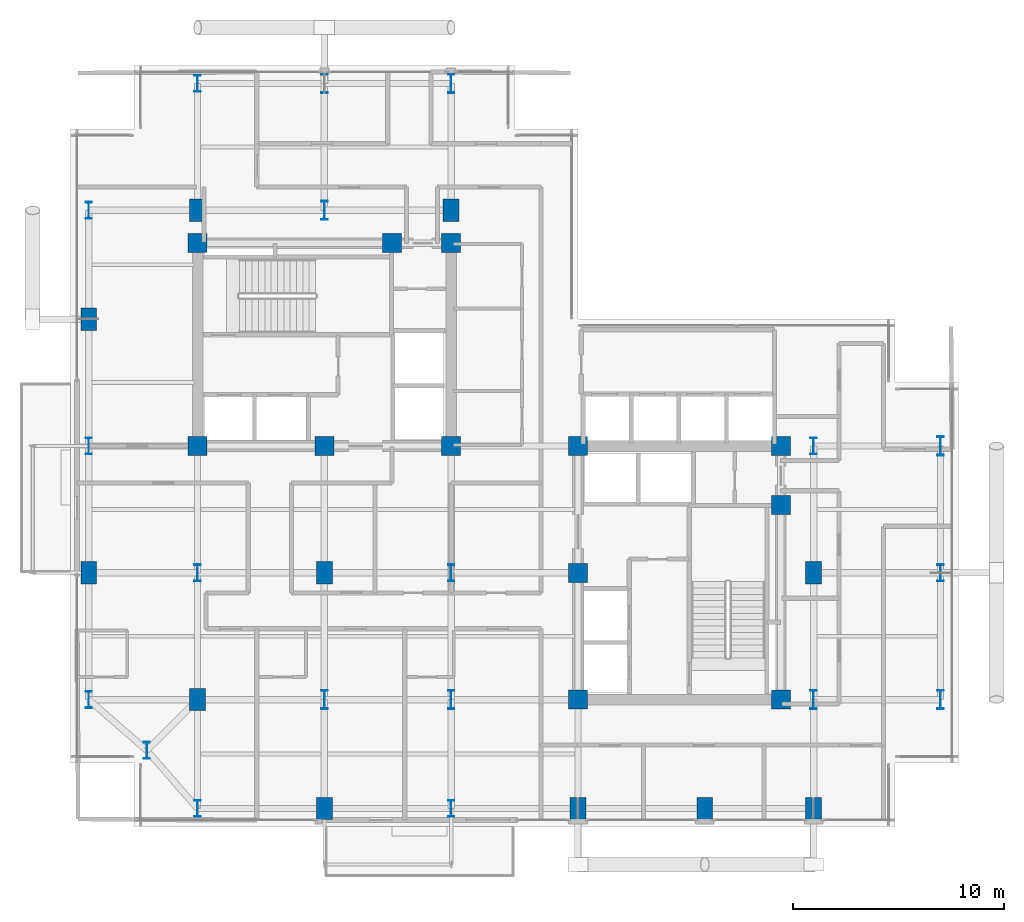
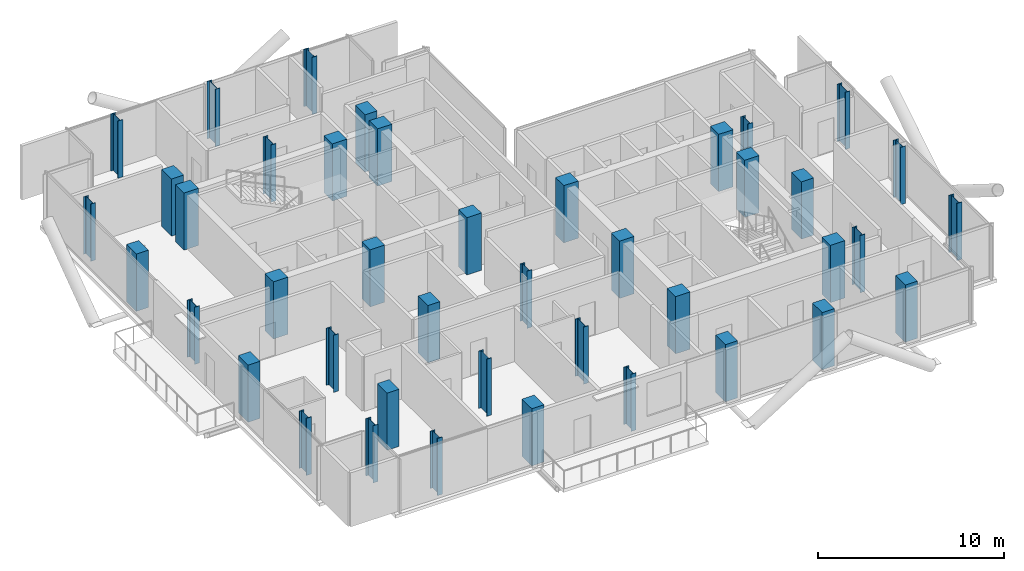
# One storey, part 1 of 22: 42 columns.
"""IFC4 building model written with IfcOpenShell, lengths in metres."""

from ifc_helpers import new_model, si_unit, direction, frame, origin, origin_2d, place, context, subcontext, project, spatial, rectangle, i_section, extrude, material, material_profile, profile_set, type_object, element, save


model = new_model("IFC4")

# Units and contexts
model_context = context("Model", 3, precision=1e-05, world=origin(), true_north=direction((0.0, 1.0)))
body_context = subcontext(model_context, "Body", "Model", "MODEL_VIEW")
ifc_project = project(units=[si_unit("LENGTHUNIT", "METRE"), si_unit("AREAUNIT", "SQUARE_METRE"), si_unit("VOLUMEUNIT", "CUBIC_METRE"), si_unit("PLANEANGLEUNIT", "RADIAN"), si_unit("MASSUNIT", "GRAM", prefix="KILO"), si_unit("THERMODYNAMICTEMPERATUREUNIT", "KELVIN"), si_unit("POWERUNIT", "WATT")], contexts=[model_context])

# Site, building, storey
site_placement = place(None, origin())
site = spatial("IfcSite", under=ifc_project, at=site_placement, CompositionType="ELEMENT")
building_placement = place(site_placement, origin())
building = spatial("IfcBuilding", under=site, at=building_placement, Name="Svarakhadi Broadcast Tower", CompositionType="ELEMENT")
storey_placement = place(building_placement, frame((0.0, 0.0, 176.699951171875)))
storey = spatial("IfcBuildingStorey", under=building, at=storey_placement, Name="L43", CompositionType="ELEMENT", Elevation=176.699951171875)

# Columns
ifc_material_1 = material(Name="Concrete C50/60 (IS 456 M60)", Category="concrete")
ifc_material_profile_1 = material_profile(ifc_material_1, rectangle(XDim=0.75, YDim=1.050048828125, at=origin_2d()), Name="RC 750x1050")
ifc_profile_set_1 = profile_set([ifc_material_profile_1], Name="Concrete C50/60 (IS 456 M60)")
column_type_1 = type_object("IfcColumnType", Name="Col_RC750", PredefinedType="COLUMN", material=ifc_profile_set_1)
for number, where, z_axis, x_axis, name in (
    (1, (0.85009765625, 12.0, 0.0), (0.0, 0.0, 1.0), (1.0, 0.0, 0.0), "L43 Column G04"),
    (2, (0.85009765625, 24.0, 0.0), (0.0, 0.0, 1.0), (1.0, 0.0, 0.0), "L43 Column G06"),
    (3, (6.0, 6.0, 0.0), (0.0, 0.0, 1.0), (1.0, 0.0, 0.0), "L43 Column G12"),
    (4, (6.0, 29.14990234375, 0.0), (0.0, 0.0, 1.0), (1.0, 0.0, 0.0), "L43 Column G14"),
    (5, (12.0, 0.85009765625, 0.0), (0.0, 0.0, 1.0), (1.0, 0.0, 0.0), "L43 Column G18"),
    (6, (12.0, 12.0, 0.0), (0.0, 0.0, 1.0), (1.0, 0.0, 0.0), "L43 Column G20"),
    (7, (18.0, 29.14990234375, 0.0), (0.0, 0.0, 1.0), (1.0, 0.0, 0.0), "L43 Column G28"),
    (8, (24.0, 0.85009765625, 0.0), (0.0, 0.0, 1.0), (1.0, 0.0, 0.0), "L43 Column G32"),
    (9, (30.0, 0.85009765625, 0.0), (0.0, 0.0, 1.0), (1.0, 0.0, 0.0), "L43 Column G36"),
    (10, (35.14990234375, 0.85009765625, 0.0), (0.0, 0.0, 1.0), (1.0, 0.0, 0.0), "L43 Column G38"),
    (11, (35.14990234375, 12.0, 0.0), (0.0, 0.0, 1.0), (1.0, 0.0, 0.0), "L43 Column G40"),
):
    element("IfcColumn", number, at=place(storey_placement, frame(where, z_axis=z_axis, x_axis=x_axis)), inside=storey, type_object=column_type_1, Name=name, PredefinedType="COLUMN", context=body_context, shape_type="SweptSolid", body=[
        extrude(rectangle(XDim=0.75, YDim=1.050048828125, at=origin_2d()), origin(), (0.0, 0.0, 1.0), 3.75),
    ])
ifc_material_profile_2 = material_profile(ifc_material_1, rectangle(XDim=0.89990234375, YDim=0.89990234375, at=origin_2d()), Name="RC 900x900")
ifc_profile_set_2 = profile_set([ifc_material_profile_2], Name="Concrete C50/60 (IS 456 M60)")
column_type_2 = type_object("IfcColumnType", Name="Col_RC900", PredefinedType="COLUMN", material=ifc_profile_set_2)
for number, where, z_axis, x_axis, name in (
    (12, (6.0, 18.0, 0.0), (0.0, 0.0, 1.0), (1.0, 0.0, 0.0), "L43 Column CW1"),
    (13, (12.0, 18.0, 0.0), (0.0, 0.0, 1.0), (1.0, 0.0, 0.0), "L43 Column CW2"),
    (14, (18.0, 18.0, 0.0), (0.0, 0.0, 1.0), (1.0, 0.0, 0.0), "L43 Column CW3"),
    (15, (6.0, 27.60009765625, 0.0), (0.0, 0.0, 1.0), (1.0, 0.0, 0.0), "L43 Column CW4"),
    (16, (15.199951171875, 27.60009765625, 0.0), (0.0, 0.0, 1.0), (1.0, 0.0, 0.0), "L43 Column CW5"),
    (17, (18.0, 27.60009765625, 0.0), (0.0, 0.0, 1.0), (1.0, 0.0, 0.0), "L43 Column CW6"),
    (18, (24.0, 6.0, 0.0), (0.0, 0.0, 1.0), (1.0, 0.0, 0.0), "L43 Column CE1"),
    (19, (24.0, 12.0, 0.0), (0.0, 0.0, 1.0), (1.0, 0.0, 0.0), "L43 Column CE2"),
    (20, (24.0, 18.0, 0.0), (0.0, 0.0, 1.0), (1.0, 0.0, 0.0), "L43 Column CE3"),
    (21, (33.60009765625, 6.0, 0.0), (0.0, 0.0, 1.0), (1.0, 0.0, 0.0), "L43 Column CE4"),
    (22, (33.60009765625, 15.199951171875, 0.0), (0.0, 0.0, 1.0), (1.0, 0.0, 0.0), "L43 Column CE5"),
    (23, (33.60009765625, 18.0, 0.0), (0.0, 0.0, 1.0), (1.0, 0.0, 0.0), "L43 Column CE6"),
):
    element("IfcColumn", number, at=place(storey_placement, frame(where, z_axis=z_axis, x_axis=x_axis)), inside=storey, type_object=column_type_2, Name=name, PredefinedType="COLUMN", context=body_context, shape_type="SweptSolid", body=[
        extrude(rectangle(XDim=0.89990234375, YDim=0.89990234375, at=origin_2d()), origin(), (0.0, 0.0, 1.0), 3.75),
    ])
ifc_material_2 = material(Name="Steel S460ML (IS 2062 E450BR)", Category="steel")
ifc_material_profile_3 = material_profile(ifc_material_2, i_section(OverallWidth=0.300048828125, OverallDepth=0.800048828125, WebThickness=0.017578125, FlangeThickness=0.032958984375, FilletRadius=0.030029296875, at=origin_2d()), Name="WPB 800x300x262")
ifc_profile_set_3 = profile_set([ifc_material_profile_3], Name="Steel S460ML (IS 2062 E450BR)")
column_type_3 = type_object("IfcColumnType", Name="Col_WPB800", PredefinedType="COLUMN", material=ifc_profile_set_3)
for number, where, z_axis, x_axis, name in (
    (24, (3.60009765625, 3.60009765625, 0.0), (0.0, 0.0, 1.0), (1.0, 0.0, 0.0), "L43 Column G01"),
    (25, (0.85009765625, 6.0, 0.0), (0.0, 0.0, 1.0), (1.0, 0.0, 0.0), "L43 Column G03"),
    (26, (0.85009765625, 18.0, 0.0), (0.0, 0.0, 1.0), (1.0, 0.0, 0.0), "L43 Column G05"),
    (27, (0.85009765625, 29.14990234375, 0.0), (0.0, 0.0, 1.0), (1.0, 0.0, 0.0), "L43 Column G07"),
    (28, (6.0, 0.85009765625, 0.0), (0.0, 0.0, 1.0), (1.0, 0.0, 0.0), "L43 Column G11"),
    (29, (6.0, 12.0, 0.0), (0.0, 0.0, 1.0), (1.0, 0.0, 0.0), "L43 Column G13"),
    (30, (6.0, 35.14990234375, 0.0), (0.0, 0.0, 1.0), (1.0, 0.0, 0.0), "L43 Column G15"),
    (31, (18.0, 0.85009765625, 0.0), (0.0, 0.0, 1.0), (1.0, 0.0, 0.0), "L43 Column G25"),
    (32, (18.0, 12.0, 0.0), (0.0, 0.0, 1.0), (1.0, 0.0, 0.0), "L43 Column G27"),
    (33, (35.14990234375, 18.0, 0.0), (0.0, 0.0, 1.0), (1.0, 0.0, 0.0), "L43 Column G41"),
    (34, (41.14990234375, 12.0, 0.0), (0.0, 0.0, 1.0), (1.0, 0.0, 0.0), "L43 Column G45"),
):
    element("IfcColumn", number, at=place(storey_placement, frame(where, z_axis=z_axis, x_axis=x_axis)), inside=storey, type_object=column_type_3, Name=name, PredefinedType="COLUMN", context=body_context, shape_type="SweptSolid", body=[
        extrude(i_section(OverallWidth=0.300048828125, OverallDepth=0.800048828125, WebThickness=0.017578125, FlangeThickness=0.032958984375, FilletRadius=0.030029296875, at=origin_2d()), origin(), (0.0, 0.0, 1.0), 3.75),
    ])
ifc_material_profile_4 = material_profile(ifc_material_2, i_section(OverallWidth=0.300048828125, OverallDepth=0.89990234375, WebThickness=0.0185546875, FlangeThickness=0.034912109375, FilletRadius=0.030029296875, at=origin_2d()), Name="WPB 900x300x291")
ifc_profile_set_4 = profile_set([ifc_material_profile_4], Name="Steel S460ML (IS 2062 E450BR)")
column_type_4 = type_object("IfcColumnType", Name="Col_WPB900", PredefinedType="COLUMN", material=ifc_profile_set_4)
for number, where, z_axis, x_axis, name in (
    (35, (12.0, 6.0, 0.0), (0.0, 0.0, 1.0), (1.0, 0.0, 0.0), "L43 Column G19"),
    (36, (12.0, 29.14990234375, 0.0), (0.0, 0.0, 1.0), (1.0, 0.0, 0.0), "L43 Column G21"),
    (37, (12.0, 35.14990234375, 0.0), (0.0, 0.0, 1.0), (1.0, 0.0, 0.0), "L43 Column G22"),
    (38, (18.0, 6.0, 0.0), (0.0, 0.0, 1.0), (1.0, 0.0, 0.0), "L43 Column G26"),
    (39, (18.0, 35.14990234375, 0.0), (0.0, 0.0, 1.0), (1.0, 0.0, 0.0), "L43 Column G29"),
    (40, (35.14990234375, 6.0, 0.0), (0.0, 0.0, 1.0), (1.0, 0.0, 0.0), "L43 Column G39"),
    (41, (41.14990234375, 6.0, 0.0), (0.0, 0.0, 1.0), (1.0, 0.0, 0.0), "L43 Column G44"),
    (42, (41.14990234375, 18.0, 0.0), (0.0, 0.0, 1.0), (1.0, 0.0, 0.0), "L43 Column G46"),
):
    element("IfcColumn", number, at=place(storey_placement, frame(where, z_axis=z_axis, x_axis=x_axis)), inside=storey, type_object=column_type_4, Name=name, PredefinedType="COLUMN", context=body_context, shape_type="SweptSolid", body=[
        extrude(i_section(OverallWidth=0.300048828125, OverallDepth=0.89990234375, WebThickness=0.0185546875, FlangeThickness=0.034912109375, FilletRadius=0.030029296875, at=origin_2d()), origin(), (0.0, 0.0, 1.0), 3.75),
    ])

save(model, "model.ifc")
